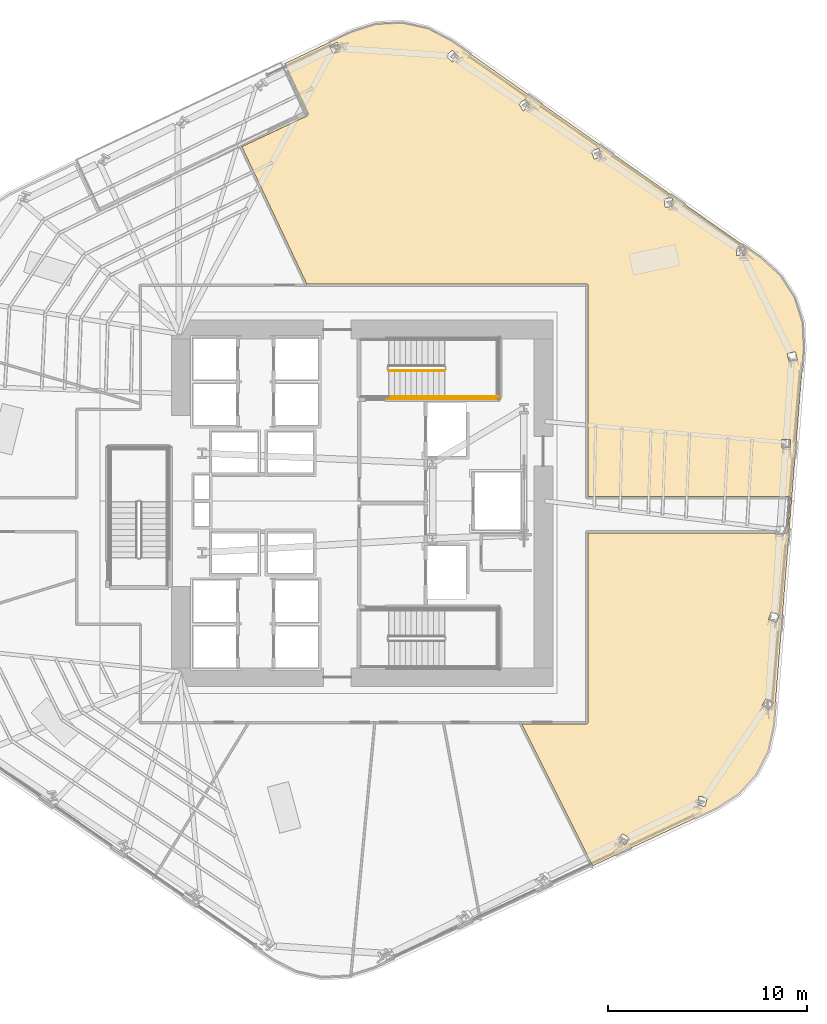
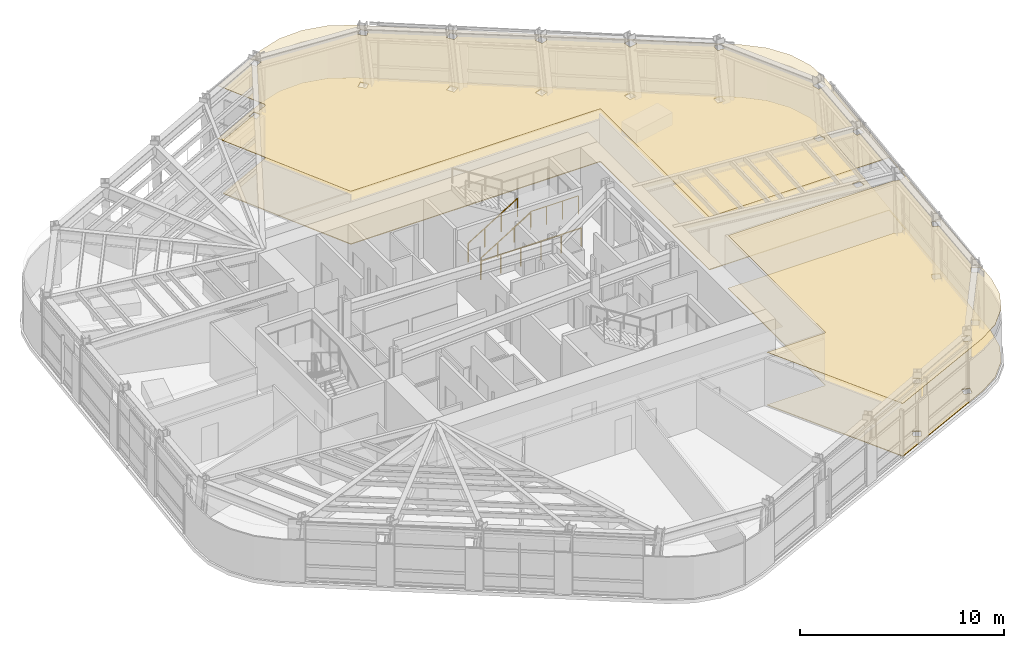
# One storey, part 16 of 19: 4 railings, 2 coverings.
"""IFC4 building model written with IfcOpenShell, lengths in metres."""

from ifc_helpers import new_model, si_unit, direction, frame, origin, origin_2d, place, context, subcontext, project, spatial, polyline, circle, outline, extrude, material, layer, layer_set, type_object, element, save


model = new_model("IFC4")

# Units and contexts
model_context = context("Model", 3, precision=1e-05, world=origin(), true_north=direction((0.0, 1.0)))
body_context = subcontext(model_context, "Body", "Model", "MODEL_VIEW")
ifc_project = project(units=[si_unit("LENGTHUNIT", "METRE"), si_unit("AREAUNIT", "SQUARE_METRE"), si_unit("VOLUMEUNIT", "CUBIC_METRE"), si_unit("PLANEANGLEUNIT", "RADIAN"), si_unit("MASSUNIT", "GRAM", prefix="KILO")], contexts=[model_context])

# Site, building, storey
site_placement = place(None, origin())
site = spatial("IfcSite", under=ifc_project, at=site_placement, CompositionType="ELEMENT")
building_placement = place(site_placement, origin())
building = spatial("IfcBuilding", under=site, at=building_placement, Name="Valkerne Bourse Tower", CompositionType="ELEMENT")
storey_placement = place(building_placement, frame((0.0, 0.0, 131.39990234375)))
storey = spatial("IfcBuildingStorey", under=building, at=storey_placement, Name="L33", CompositionType="ELEMENT", Elevation=131.39990234375)

# Coverings
ifc_material_1 = material(Name="Mineral Fiber Acoustic Ceiling Tile", Category="acoustic")
ifc_layer_1 = layer(ifc_material_1, 0.02490234375)
ifc_layer_set_1 = layer_set([ifc_layer_1], Name="Mineral Fiber Acoustic Ceiling Tile")
covering_type_1 = type_object("IfcCoveringType", Name="COV-CEIL-ACT", PredefinedType="CEILING", material=ifc_layer_set_1)
covering_1_placement = place(storey_placement, frame((0.0, 0.0, 3.170166015625)))
element("IfcCovering", 1, at=covering_1_placement, inside=storey, type_object=covering_type_1, Name="L33 Suspended Ceiling 09", PredefinedType="CEILING", context=body_context, shape_type="SweptSolid", body=[
    extrude(outline(polyline([(51.290283203125, 50.16845703125), (66.865234375, 39.2451171875), (67.848388671875, 38.3505859375), (68.561279296875, 37.240234375), (68.962646484375, 35.983154296875), (69.025146484375, 34.655029296875), (67.513916015625, 15.69189453125), (67.230712890625, 14.3935546875), (66.62548828125, 13.220947265625), (65.737548828125, 12.244873046875), (64.619384765625, 11.527099609375), (58.411865234375, 8.63818359375), (54.8349609375, 15.781005859375), (58.1005859375, 15.781005859375), (58.140869140625, 15.794189453125), (58.165283203125, 15.8271484375), (58.1689453125, 25.381103515625), (67.588134765625, 25.381103515625), (67.594970703125, 25.38330078125), (67.58837890625, 25.34326171875), (67.58837890625, 25.34033203125), (68.014892578125, 25.271728515625), (68.03515625, 25.396484375), (68.0634765625, 25.381591796875), (68.166259765625, 25.3818359375), (68.20654296875, 25.403564453125), (68.2236328125, 25.441162109375), (68.35888671875, 27.161865234375), (68.336181640625, 27.2021484375), (68.29150390625, 27.218994140625), (58.1689453125, 27.218994140625), (58.1689453125, 37.8505859375), (58.158935546875, 37.885986328125), (58.129150390625, 37.91259765625), (58.100341796875, 37.9189453125), (44.02001953125, 37.9189453125), (40.75146484375, 44.828125), (43.992919921875, 46.353271484375), (44.02783203125, 46.376708984375), (44.061279296875, 46.421630859375), (44.0751953125, 46.476318359375), (44.061767578125, 46.54443359375), (42.903076171875, 49.0068359375), (46.236328125, 50.5927734375), (47.502197265625, 50.996826171875), (48.8203125, 51.05908203125), (50.109619140625, 50.77783203125), (51.290283203125, 50.16845703125)]), holes=[polyline([(51.346923828125, 49.680419921875), (51.34375, 49.680908203125), (51.0419921875, 49.394287109375), (51.33740234375, 49.080810546875), (51.3408203125, 49.080078125), (51.642578125, 49.36669921875), (51.346923828125, 49.680419921875)]), polyline([(45.741943359375, 49.7158203125), (45.545166015625, 50.0830078125), (45.5419921875, 50.082763671875), (45.1630859375, 49.878173828125), (45.359619140625, 49.510986328125), (45.363037109375, 49.51123046875), (45.741943359375, 49.7158203125)]), polyline([(60.057373046875, 9.671142578125), (60.2548828125, 10.053955078125), (59.885498046875, 10.246337890625), (59.883056640625, 10.244384765625), (59.685302734375, 9.86181640625), (60.0546875, 9.669189453125), (60.057373046875, 9.671142578125)]), polyline([(64.172607421875, 12.024169921875), (63.773681640625, 12.1435546875), (63.771240234375, 12.14111328125), (63.6494140625, 11.728271484375), (64.04833984375, 11.608642578125), (64.050537109375, 11.611083984375), (64.172607421875, 12.024169921875)]), polyline([(67.510498046875, 16.8330078125), (67.142578125, 17.06005859375), (66.92431640625, 16.707275390625), (66.922607421875, 16.7041015625), (67.290283203125, 16.47705078125), (67.5087890625, 16.829833984375), (67.510498046875, 16.8330078125)]), polyline([(67.80224609375, 21.259033203125), (67.398193359375, 21.4130859375), (67.25, 21.025146484375), (67.249267578125, 21.022216796875), (67.653076171875, 20.8681640625), (67.80126953125, 21.256103515625), (67.80224609375, 21.259033203125)]), polyline([(68.369384765625, 29.685546875), (68.350830078125, 30.100341796875), (68.350341796875, 30.103515625), (67.918701171875, 30.083740234375), (67.937255859375, 29.6689453125), (67.9375, 29.665771484375), (68.369384765625, 29.685546875)]), polyline([(68.61572265625, 34.507080078125), (68.61474609375, 34.51025390625), (68.1943359375, 34.409912109375), (68.29052734375, 34.006103515625), (68.29150390625, 34.0029296875), (68.7119140625, 34.103515625), (68.61572265625, 34.507080078125)]), polyline([(66.0849609375, 39.773681640625), (66.0830078125, 39.7763671875), (65.6669921875, 39.7880859375), (65.653076171875, 39.357421875), (65.65478515625, 39.354736328125), (66.071044921875, 39.343017578125), (66.0849609375, 39.773681640625)]), polyline([(62.4775390625, 41.838623046875), (62.41015625, 42.264404296875), (62.407958984375, 42.2666015625), (61.9970703125, 42.199951171875), (62.064453125, 41.774169921875), (62.06640625, 41.77197265625), (62.4775390625, 41.838623046875)]), polyline([(58.72509765625, 44.748291015625), (58.722412109375, 44.75), (58.33349609375, 44.60107421875), (58.486083984375, 44.197998046875), (58.48876953125, 44.1962890625), (58.877685546875, 44.344970703125), (58.72509765625, 44.748291015625)]), polyline([(55.266357421875, 46.856689453125), (55.034912109375, 47.220458984375), (55.031982421875, 47.2216796875), (54.681396484375, 46.99658203125), (54.9130859375, 46.633056640625), (54.916015625, 46.6318359375), (55.266357421875, 46.856689453125)])]), origin(), (0.0, 0.0, 1.0), 0.02490234375),
])
ifc_material_2 = material(Name="Galvanised Painted Steel", Category="steel")
ifc_layer_2 = layer(ifc_material_2, 0.044921875)
ifc_layer_set_2 = layer_set([ifc_layer_2], Name="Galvanised Painted Steel")
covering_type_2 = type_object("IfcCoveringType", Name="COV-FLR-RAF", PredefinedType="FLOORING", material=ifc_layer_set_2)
covering_2_placement = place(storey_placement, origin())
element("IfcCovering", 2, at=covering_2_placement, inside=storey, type_object=covering_type_2, Name="L33 Floor Finish 09", PredefinedType="FLOORING", context=body_context, shape_type="SweptSolid", body=[
    extrude(outline(polyline([(51.290283203125, 50.16845703125), (66.865234375, 39.2451171875), (67.848388671875, 38.3505859375), (68.561279296875, 37.240234375), (68.962646484375, 35.983154296875), (69.025146484375, 34.655029296875), (67.513916015625, 15.69189453125), (67.230712890625, 14.3935546875), (66.62548828125, 13.220947265625), (65.737548828125, 12.244873046875), (64.619384765625, 11.527099609375), (58.411865234375, 8.63818359375), (54.8349609375, 15.781005859375), (58.1005859375, 15.781005859375), (58.140869140625, 15.794189453125), (58.165283203125, 15.8271484375), (58.1689453125, 25.381103515625), (67.588134765625, 25.381103515625), (67.594970703125, 25.38330078125), (67.58837890625, 25.34326171875), (67.58837890625, 25.34033203125), (68.014892578125, 25.271728515625), (68.03515625, 25.396484375), (68.0634765625, 25.381591796875), (68.166259765625, 25.3818359375), (68.20654296875, 25.403564453125), (68.2236328125, 25.441162109375), (68.35888671875, 27.161865234375), (68.336181640625, 27.2021484375), (68.29150390625, 27.218994140625), (58.1689453125, 27.218994140625), (58.1689453125, 37.8505859375), (58.158935546875, 37.885986328125), (58.129150390625, 37.91259765625), (58.100341796875, 37.9189453125), (44.02001953125, 37.9189453125), (40.75146484375, 44.828125), (43.992919921875, 46.353271484375), (44.02783203125, 46.376708984375), (44.061279296875, 46.421630859375), (44.0751953125, 46.476318359375), (44.061767578125, 46.54443359375), (42.903076171875, 49.0068359375), (46.236328125, 50.5927734375), (47.502197265625, 50.996826171875), (48.8203125, 51.05908203125), (50.109619140625, 50.77783203125), (51.290283203125, 50.16845703125)]), holes=[polyline([(51.346923828125, 49.680419921875), (51.34375, 49.680908203125), (51.0419921875, 49.394287109375), (51.33740234375, 49.080810546875), (51.3408203125, 49.080078125), (51.642578125, 49.36669921875), (51.346923828125, 49.680419921875)]), polyline([(45.741943359375, 49.7158203125), (45.545166015625, 50.0830078125), (45.5419921875, 50.082763671875), (45.1630859375, 49.878173828125), (45.359619140625, 49.510986328125), (45.363037109375, 49.51123046875), (45.741943359375, 49.7158203125)]), polyline([(60.057373046875, 9.671142578125), (60.2548828125, 10.053955078125), (59.885498046875, 10.246337890625), (59.883056640625, 10.244384765625), (59.685302734375, 9.86181640625), (60.0546875, 9.669189453125), (60.057373046875, 9.671142578125)]), polyline([(64.172607421875, 12.024169921875), (63.773681640625, 12.1435546875), (63.771240234375, 12.14111328125), (63.6494140625, 11.728271484375), (64.04833984375, 11.608642578125), (64.050537109375, 11.611083984375), (64.172607421875, 12.024169921875)]), polyline([(67.510498046875, 16.8330078125), (67.142578125, 17.06005859375), (66.92431640625, 16.707275390625), (66.922607421875, 16.7041015625), (67.290283203125, 16.47705078125), (67.5087890625, 16.829833984375), (67.510498046875, 16.8330078125)]), polyline([(67.80224609375, 21.259033203125), (67.398193359375, 21.4130859375), (67.25, 21.025146484375), (67.249267578125, 21.022216796875), (67.653076171875, 20.8681640625), (67.80126953125, 21.256103515625), (67.80224609375, 21.259033203125)]), polyline([(68.369384765625, 29.685546875), (68.350830078125, 30.100341796875), (68.350341796875, 30.103515625), (67.918701171875, 30.083740234375), (67.937255859375, 29.6689453125), (67.9375, 29.665771484375), (68.369384765625, 29.685546875)]), polyline([(68.61572265625, 34.507080078125), (68.61474609375, 34.51025390625), (68.1943359375, 34.409912109375), (68.29052734375, 34.006103515625), (68.29150390625, 34.0029296875), (68.7119140625, 34.103515625), (68.61572265625, 34.507080078125)]), polyline([(66.0849609375, 39.773681640625), (66.0830078125, 39.7763671875), (65.6669921875, 39.7880859375), (65.653076171875, 39.357421875), (65.65478515625, 39.354736328125), (66.071044921875, 39.343017578125), (66.0849609375, 39.773681640625)]), polyline([(62.4775390625, 41.838623046875), (62.41015625, 42.264404296875), (62.407958984375, 42.2666015625), (61.9970703125, 42.199951171875), (62.064453125, 41.774169921875), (62.06640625, 41.77197265625), (62.4775390625, 41.838623046875)]), polyline([(58.72509765625, 44.748291015625), (58.722412109375, 44.75), (58.33349609375, 44.60107421875), (58.486083984375, 44.197998046875), (58.48876953125, 44.1962890625), (58.877685546875, 44.344970703125), (58.72509765625, 44.748291015625)]), polyline([(55.266357421875, 46.856689453125), (55.034912109375, 47.220458984375), (55.031982421875, 47.2216796875), (54.681396484375, 46.99658203125), (54.9130859375, 46.633056640625), (54.916015625, 46.6318359375), (55.266357421875, 46.856689453125)])]), origin(), (0.0, 0.0, 1.0), 0.045166015625),
])

# Railings
railing_type_1 = type_object("IfcRailingType", Name="RLG-ST-GUARD-1120", PredefinedType="GUARDRAIL", material=ifc_material_2)
railing_1_placement = place(storey_placement, frame((48.14990234375, 33.550048828125, 0.1728515625)))
element("IfcRailing", 3, at=railing_1_placement, inside=storey, type_object=railing_type_1, Name="L33 ST-2 stair guard 1", PredefinedType="GUARDRAIL", context=body_context, shape_type="SweptSolid", body=[
    extrude(circle(Radius=0.02392578125, at=origin_2d()), frame((0.0, 0.0, 1.09619140625), z_axis=(0.851089632645, 0.0, 0.525020415988), x_axis=(0.0, 1.0, 0.0)), (0.0, 0.0, 1.0), 3.2900390625),
    extrude(circle(Radius=0.02099609375, at=origin_2d()), origin(), (0.0, 0.0, 1.0), 1.072021484375),
    extrude(circle(Radius=0.02099609375, at=origin_2d()), frame((0.933349609375, 0.0, 0.57568359375)), (0.0, 0.0, 1.0), 1.072021484375),
    extrude(circle(Radius=0.02099609375, at=origin_2d()), frame((1.86669921875, 0.0, 1.151611328125)), (0.0, 0.0, 1.0), 1.072021484375),
    extrude(circle(Radius=0.02099609375, at=origin_2d()), frame((2.800048828125, 0.0, 1.727294921875)), (0.0, 0.0, 1.0), 1.072021484375),
])
railing_2_placement = place(storey_placement, frame((50.949951171875, 32.25, 1.900146484375)))
element("IfcRailing", 4, at=railing_2_placement, inside=storey, type_object=railing_type_1, Name="L33 ST-2 stair guard 3", PredefinedType="GUARDRAIL", context=body_context, shape_type="SweptSolid", body=[
    extrude(circle(Radius=0.02392578125, at=origin_2d()), frame((0.0, 0.0, 1.09619140625), z_axis=(1.0, 0.0, 0.0), x_axis=(0.0, 1.0, 0.0)), (0.0, 0.0, 1.0), 2.699951171875),
    extrude(circle(Radius=0.02099609375, at=origin_2d()), origin(), (0.0, 0.0, 1.0), 1.072021484375),
    extrude(circle(Radius=0.02099609375, at=origin_2d()), frame((0.89990234375, 0.0, 0.0)), (0.0, 0.0, 1.0), 1.072021484375),
    extrude(circle(Radius=0.02099609375, at=origin_2d()), frame((1.800048828125, 0.0, 0.0)), (0.0, 0.0, 1.0), 1.072021484375),
    extrude(circle(Radius=0.02099609375, at=origin_2d()), frame((2.699951171875, 0.0, 0.0)), (0.0, 0.0, 1.0), 1.072021484375),
])
railing_3_placement = place(storey_placement, frame((48.050048828125, 32.14990234375, 0.0)))
element("IfcRailing", 5, at=railing_3_placement, inside=storey, type_object=railing_type_1, Name="L33 ST-2 stair guard 10", PredefinedType="GUARDRAIL", context=body_context, shape_type="SweptSolid", body=[
    extrude(circle(Radius=0.02392578125, at=origin_2d()), frame((0.0, 0.0, 1.09619140625), z_axis=(1.0, 0.0, 0.0), x_axis=(0.0, 1.0, 0.0)), (0.0, 0.0, 1.0), 5.699951171875),
    extrude(circle(Radius=0.02099609375, at=origin_2d()), origin(), (0.0, 0.0, 1.0), 1.072021484375),
    extrude(circle(Radius=0.02099609375, at=origin_2d()), frame((1.139892578125, 0.0, 0.0)), (0.0, 0.0, 1.0), 1.072021484375),
    extrude(circle(Radius=0.02099609375, at=origin_2d()), frame((2.280029296875, 0.0, 0.0)), (0.0, 0.0, 1.0), 1.072021484375),
    extrude(circle(Radius=0.02099609375, at=origin_2d()), frame((3.419921875, 0.0, 0.0)), (0.0, 0.0, 1.0), 1.072021484375),
    extrude(circle(Radius=0.02099609375, at=origin_2d()), frame((4.56005859375, 0.0, 0.0)), (0.0, 0.0, 1.0), 1.072021484375),
    extrude(circle(Radius=0.02099609375, at=origin_2d()), frame((5.699951171875, 0.0, 0.0)), (0.0, 0.0, 1.0), 1.072021484375),
])
ifc_material_3 = material(Name="Stainless Steel AISI 316", Category="steel")
railing_type_2 = type_object("IfcRailingType", Name="RLG-ST-HANDRAIL-900", PredefinedType="HANDRAIL", material=ifc_material_3)
railing_4_placement = place(storey_placement, frame((48.14990234375, 32.25, 0.345458984375)))
element("IfcRailing", 6, at=railing_4_placement, inside=storey, type_object=railing_type_2, Name="L33 ST-2 stair handrail 1", PredefinedType="HANDRAIL", context=body_context, shape_type="SweptSolid", body=[
    extrude(circle(Radius=0.02392578125, at=origin_2d()), frame((0.0, 0.0, 0.8759765625), z_axis=(0.851089632645, 0.0, 0.525020415988), x_axis=(0.0, 1.0, 0.0)), (0.0, 0.0, 1.0), 3.2900390625),
    extrude(circle(Radius=0.02099609375, at=origin_2d()), origin(), (0.0, 0.0, 1.0), 0.851806640625),
    extrude(circle(Radius=0.02099609375, at=origin_2d()), frame((0.933349609375, 0.0, 0.57568359375)), (0.0, 0.0, 1.0), 0.851806640625),
    extrude(circle(Radius=0.02099609375, at=origin_2d()), frame((1.86669921875, 0.0, 1.151611328125)), (0.0, 0.0, 1.0), 0.851806640625),
    extrude(circle(Radius=0.02099609375, at=origin_2d()), frame((2.800048828125, 0.0, 1.727294921875)), (0.0, 0.0, 1.0), 0.851806640625),
])

save(model, "model.ifc")
